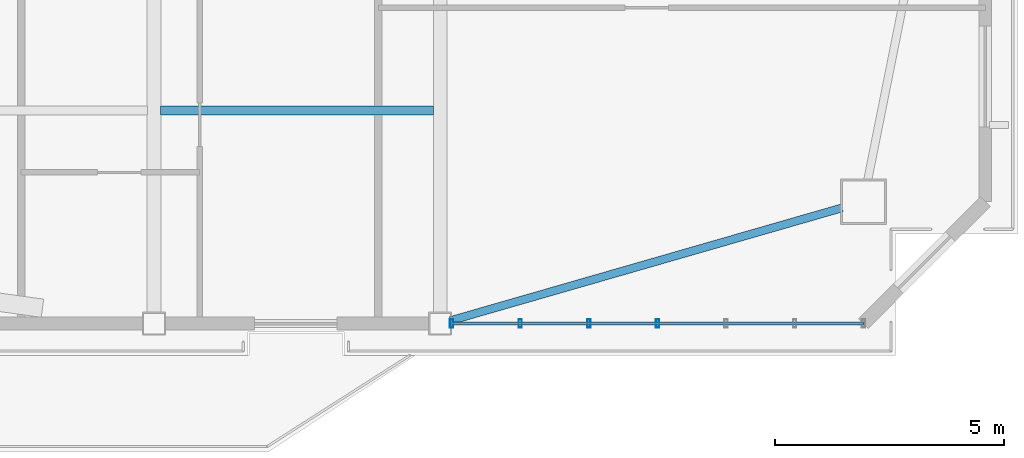
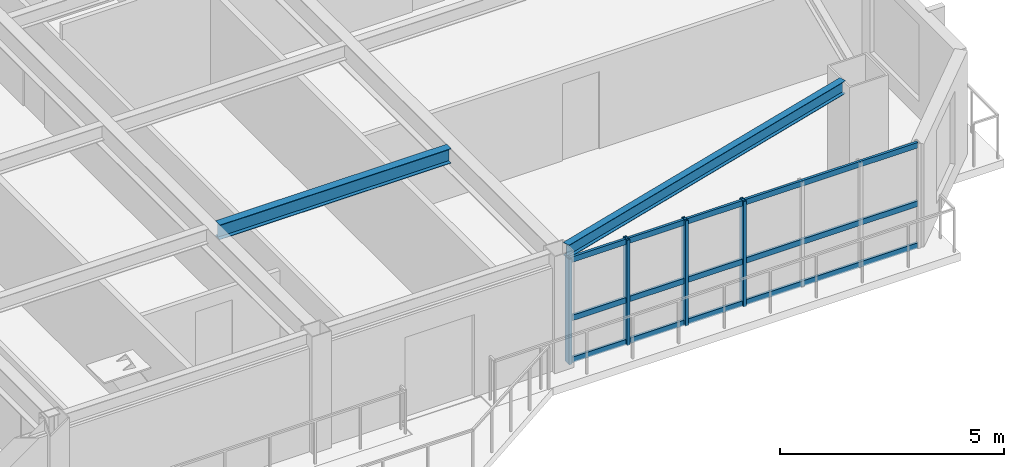
# One storey, part 4 of 19: 7 members, 2 beams, 1 element without a shape of its own.
"""IFC4 building model written with IfcOpenShell, lengths in metres."""

from ifc_helpers import new_model, si_unit, direction, frame, origin, origin_2d, place, context, subcontext, project, spatial, hollow_rectangle, i_section, extrude, source, transform, mapped, material, layer, layer_set, material_profile, profile_set, type_object, element, aggregate, save


model = new_model("IFC4")

# Units and contexts
model_context = context("Model", 3, precision=1e-05, world=origin(), true_north=direction((0.0, 1.0)))
body_context = subcontext(model_context, "Body", "Model", "MODEL_VIEW")
ifc_project = project(units=[si_unit("LENGTHUNIT", "METRE"), si_unit("AREAUNIT", "SQUARE_METRE"), si_unit("VOLUMEUNIT", "CUBIC_METRE"), si_unit("PLANEANGLEUNIT", "RADIAN"), si_unit("MASSUNIT", "GRAM", prefix="KILO")], contexts=[model_context])

# Site, building, storey
site_placement = place(None, origin())
site = spatial("IfcSite", under=ifc_project, at=site_placement, CompositionType="ELEMENT")
building_placement = place(site_placement, origin())
building = spatial("IfcBuilding", under=site, at=building_placement, Name="Giltprow Tower", CompositionType="ELEMENT")
storey_placement = place(building_placement, frame((0.0, 0.0, 241.699951171875)))
storey = spatial("IfcBuildingStorey", under=building, at=storey_placement, Name="L61", CompositionType="ELEMENT", Elevation=241.699951171875)

# Beams
ifc_material_1 = material(Name="Structural steel Q355B", Category="steel")
ifc_material_profile_1 = material_profile(ifc_material_1, i_section(OverallWidth=0.199951171875, OverallDepth=0.39990234375, WebThickness=0.008056640625, FlangeThickness=0.012939453125, at=origin_2d()), Name="HN 400x200x8x13")
ifc_profile_set_1 = profile_set([ifc_material_profile_1], Name="Structural steel Q355B")
beam_type_1 = type_object("IfcBeamType", Name="BM-JOIST-HN400", PredefinedType="JOIST", material=ifc_profile_set_1)
shared_shape_1 = source(origin(), body_context, "Body", "SweptSolid", [
    extrude(i_section(OverallWidth=0.199951171875, OverallDepth=0.39990234375, WebThickness=0.008056640625, FlangeThickness=0.012939453125, at=origin_2d()), origin(), (0.0, 0.0, 1.0), 5.9599609375),
])
beam_1_placement = place(storey_placement, frame((44.445068359375, 18.8359375, 2.985107421875), z_axis=(1.0, 0.0, 0.0), x_axis=(0.0, 1.0, 0.0)))
element("IfcBeam", 1, at=beam_1_placement, inside=storey, type_object=beam_type_1, Name="L61 Composite Floor Joist 1-4", PredefinedType="JOIST", context=body_context, shape_type="MappedRepresentation", body=[
    mapped(shared_shape_1, transform((0.0, 0.0, 0.0), x_axis=(1.0, 0.0, 0.0), y_axis=(0.0, 1.0, 0.0), z_axis=(0.0, 0.0, 1.0), scale=1.0)),
])
ifc_material_profile_2 = material_profile(ifc_material_1, i_section(OverallWidth=0.175048828125, OverallDepth=0.35009765625, WebThickness=0.007080078125, FlangeThickness=0.010986328125, at=origin_2d()), Name="HN 350x175x7x11")
ifc_profile_set_2 = profile_set([ifc_material_profile_2], Name="Structural steel Q355B")
beam_type_2 = type_object("IfcBeamType", Name="BM-SPAN-HN350", PredefinedType="SPANDREL", material=ifc_profile_set_2)
shared_shape_2 = source(origin(), body_context, "Body", "SweptSolid", [
    extrude(i_section(OverallWidth=0.175048828125, OverallDepth=0.35009765625, WebThickness=0.007080078125, FlangeThickness=0.010986328125, at=origin_2d()), origin(), (0.0, 0.0, 1.0), 8.896484375),
])
beam_2_placement = place(storey_placement, frame((50.77587890625, 14.2470703125, 3.010009765625), z_axis=(0.960948150958, 0.276728479146, 0.0), x_axis=(-0.276728479146, 0.960948150958, 0.0)))
element("IfcBeam", 2, at=beam_2_placement, inside=storey, type_object=beam_type_2, Name="L61 Perimeter Spandrel Beam S4-MC_SE", PredefinedType="SPANDREL", context=body_context, shape_type="MappedRepresentation", body=[
    mapped(shared_shape_2, transform((0.0, 0.0, 0.0), x_axis=(1.0, 0.0, 0.0), y_axis=(0.0, 1.0, 0.0), z_axis=(0.0, 0.0, 1.0), scale=1.0)),
])

# Curtain wall, members
ifc_material_2 = material(Name="Anodized bronze", Category="metal")
ifc_layer = layer(ifc_material_2, 0.179931640625, Name="Anodized bronze")
ifc_layer_set = layer_set([ifc_layer], Name="Anodized bronze")
curtain_wall_type = type_object("IfcCurtainWallType", Name="CW-RES-SKY", PredefinedType="NOTDEFINED", material=ifc_layer_set)
curtain_wall_placement = place(storey_placement, origin())
curtain_wall = element("IfcCurtainWall", 3, at=curtain_wall_placement, inside=storey, type_object=curtain_wall_type, Name="L61 South Recessed Curtain Wall 6", PredefinedType="NOTDEFINED")
ifc_material_profile_3 = material_profile(ifc_material_2, hollow_rectangle(XDim=0.074951171875, YDim=0.179931640625, WallThickness=0.008056640625, at=origin_2d()), Name="RHS 180x75x8")
ifc_profile_set_3 = profile_set([ifc_material_profile_3], Name="Anodized bronze")
member_type_1 = type_object("IfcMemberType", Name="CW-MULLION-180x75", PredefinedType="MULLION", material=ifc_profile_set_3)
shared_shape_3 = source(origin(), body_context, "Body", "SweptSolid", [
    extrude(hollow_rectangle(XDim=0.074951171875, YDim=0.179931640625, WallThickness=0.008056640625, at=origin_2d()), origin(), (0.0, 0.0, 1.0), 2.8701171875),
])
member_1_placement = place(storey_placement, frame((50.800048828125, 14.181884765625, -0.02001953125), z_axis=(0.0, 0.0, 1.0), x_axis=(1.0, 0.0, 0.0)))
member_1 = element("IfcMember", 4, at=member_1_placement, type_object=member_type_1, Name="L61 South Recessed Curtain Wall 6 Mullion 1", PredefinedType="MULLION", context=body_context, shape_type="MappedRepresentation", body=[
    mapped(shared_shape_3, transform((0.0, 0.0, 0.0), x_axis=(1.0, 0.0, 0.0), y_axis=(0.0, 1.0, 0.0), z_axis=(0.0, 0.0, 1.0), scale=1.0)),
])
member_2_placement = place(storey_placement, frame((52.298095703125, 14.181884765625, -0.02001953125), z_axis=(0.0, 0.0, 1.0), x_axis=(1.0, 0.0, 0.0)))
member_2 = element("IfcMember", 5, at=member_2_placement, type_object=member_type_1, Name="L61 South Recessed Curtain Wall 6 Mullion 2", PredefinedType="MULLION", context=body_context, shape_type="MappedRepresentation", body=[
    mapped(shared_shape_3, transform((0.0, 0.0, 0.0), x_axis=(1.0, 0.0, 0.0), y_axis=(0.0, 1.0, 0.0), z_axis=(0.0, 0.0, 1.0), scale=1.0)),
])
member_3_placement = place(storey_placement, frame((53.797119140625, 14.181884765625, -0.02001953125), z_axis=(0.0, 0.0, 1.0), x_axis=(1.0, 0.0, 0.0)))
member_3 = element("IfcMember", 6, at=member_3_placement, type_object=member_type_1, Name="L61 South Recessed Curtain Wall 6 Mullion 3", PredefinedType="MULLION", context=body_context, shape_type="MappedRepresentation", body=[
    mapped(shared_shape_3, transform((0.0, 0.0, 0.0), x_axis=(1.0, 0.0, 0.0), y_axis=(0.0, 1.0, 0.0), z_axis=(0.0, 0.0, 1.0), scale=1.0)),
])
member_4_placement = place(storey_placement, frame((55.294921875, 14.181884765625, -0.02001953125), z_axis=(0.0, 0.0, 1.0), x_axis=(1.0, 0.0, 0.0)))
member_4 = element("IfcMember", 7, at=member_4_placement, type_object=member_type_1, Name="L61 South Recessed Curtain Wall 6 Mullion 4", PredefinedType="MULLION", context=body_context, shape_type="MappedRepresentation", body=[
    mapped(shared_shape_3, transform((0.0, 0.0, 0.0), x_axis=(1.0, 0.0, 0.0), y_axis=(0.0, 1.0, 0.0), z_axis=(0.0, 0.0, 1.0), scale=1.0)),
])
ifc_material_profile_4 = material_profile(ifc_material_2, hollow_rectangle(XDim=0.06494140625, YDim=0.14990234375, WallThickness=0.006103515625, at=origin_2d()), Name="RHS 150x65x6")
ifc_profile_set_4 = profile_set([ifc_material_profile_4], Name="Anodized bronze")
member_type_2 = type_object("IfcMemberType", Name="CW-TRANSOM-150x65", PredefinedType="USERDEFINED", material=ifc_profile_set_4)
shared_shape_4 = source(origin(), body_context, "Body", "SweptSolid", [
    extrude(hollow_rectangle(XDim=0.06494140625, YDim=0.14990234375, WallThickness=0.006103515625, at=origin_2d()), origin(), (0.0, 0.0, 1.0), 8.990966796875),
])
member_5_placement = place(storey_placement, frame((50.800048828125, 14.181884765625, 0.0400390625), z_axis=(1.0, 0.0, 0.0), x_axis=(0.0, 1.0, 0.0)))
member_5 = element("IfcMember", 8, at=member_5_placement, type_object=member_type_2, Name="L61 South Recessed Curtain Wall 6 Transom 1", ObjectType="TRANSOM", PredefinedType="USERDEFINED", context=body_context, shape_type="MappedRepresentation", body=[
    mapped(shared_shape_4, transform((0.0, 0.0, 0.0), x_axis=(1.0, 0.0, 0.0), y_axis=(0.0, 1.0, 0.0), z_axis=(0.0, 0.0, 1.0), scale=1.0)),
])
member_6_placement = place(storey_placement, frame((50.800048828125, 14.181884765625, 1.18212890625), z_axis=(1.0, 0.0, 0.0), x_axis=(0.0, 1.0, 0.0)))
member_6 = element("IfcMember", 9, at=member_6_placement, type_object=member_type_2, Name="L61 South Recessed Curtain Wall 6 Transom 2", ObjectType="TRANSOM", PredefinedType="USERDEFINED", context=body_context, shape_type="MappedRepresentation", body=[
    mapped(shared_shape_4, transform((0.0, 0.0, 0.0), x_axis=(1.0, 0.0, 0.0), y_axis=(0.0, 1.0, 0.0), z_axis=(0.0, 0.0, 1.0), scale=1.0)),
])
member_7_placement = place(storey_placement, frame((50.800048828125, 14.181884765625, 2.775146484375), z_axis=(1.0, 0.0, 0.0), x_axis=(0.0, 1.0, 0.0)))
member_7 = element("IfcMember", 10, at=member_7_placement, type_object=member_type_2, Name="L61 South Recessed Curtain Wall 6 Transom 3", ObjectType="TRANSOM", PredefinedType="USERDEFINED", context=body_context, shape_type="MappedRepresentation", body=[
    mapped(shared_shape_4, transform((0.0, 0.0, 0.0), x_axis=(1.0, 0.0, 0.0), y_axis=(0.0, 1.0, 0.0), z_axis=(0.0, 0.0, 1.0), scale=1.0)),
])
aggregate(curtain_wall, [member_1, member_2, member_3, member_4, member_5, member_6, member_7])

save(model, "model.ifc")
